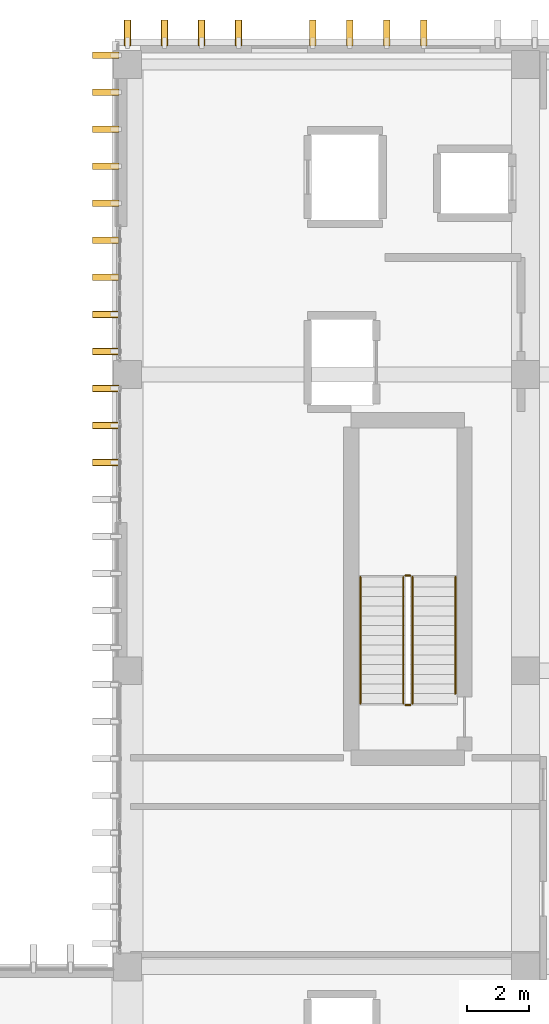
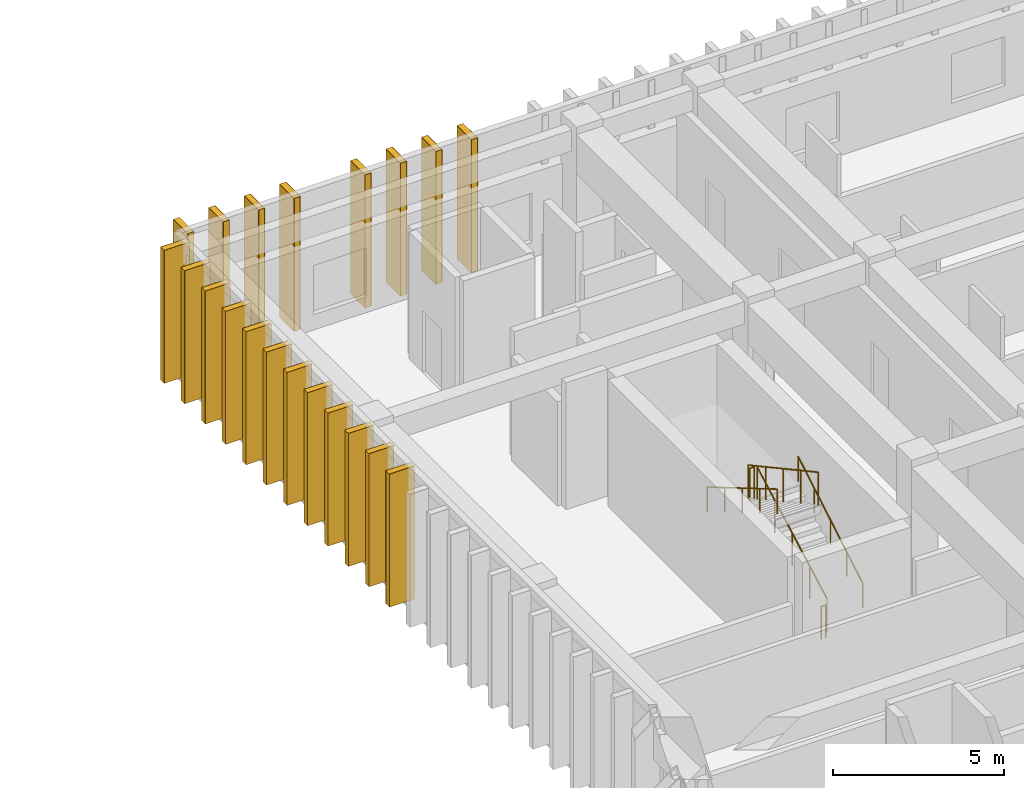
# One storey, part 100 of 101: 20 coverings, 20 shading devices, 6 railings.
"""IFC4 building model written with IfcOpenShell, lengths in metres."""

from ifc_helpers import new_model, si_unit, direction, frame, origin, origin_2d, place, context, subcontext, project, spatial, rectangle, circle, extrude, material, layer, layer_set, type_object, element, save


model = new_model("IFC4")

# Units and contexts
model_context = context("Model", 3, precision=1e-05, world=origin(), true_north=direction((0.0, 1.0)))
body_context = subcontext(model_context, "Body", "Model", "MODEL_VIEW")
ifc_project = project(units=[si_unit("LENGTHUNIT", "METRE"), si_unit("AREAUNIT", "SQUARE_METRE"), si_unit("VOLUMEUNIT", "CUBIC_METRE"), si_unit("PLANEANGLEUNIT", "RADIAN"), si_unit("MASSUNIT", "GRAM", prefix="KILO")], contexts=[model_context])

# Site, building, storey
site_placement = place(None, origin())
site = spatial("IfcSite", under=ifc_project, at=site_placement, CompositionType="ELEMENT")
building_placement = place(site_placement, origin())
building = spatial("IfcBuilding", under=site, at=building_placement, Name="Nakhvara Creek Congress Hotel", CompositionType="ELEMENT")
storey_placement = place(building_placement, frame((0.0, 0.0, 16.199951171875)))
storey = spatial("IfcBuildingStorey", under=building, at=storey_placement, Name="L03", CompositionType="ELEMENT", Elevation=16.199951171875)

# Coverings
ifc_material_1 = material(Name="Honed pale Omani limestone architectural cladding", Category="masonry")
ifc_layer = layer(ifc_material_1, 0.219970703125)
ifc_layer_set = layer_set([ifc_layer], Name="Honed pale Omani limestone architectural cladding")
covering_type = type_object("IfcCoveringType", Name="COV-FIN-850", PredefinedType="CLADDING", material=ifc_layer_set)
for number, where, z_axis, x_axis, name in (
    (1, (148.7451171875, 112.35009765625, 0.0), (0.0, 0.0, 1.0), (0.0, 1.0, 0.0), "Pale Limestone Fin Cladding CF01-1132"),
    (2, (148.7451171875, 113.550048828125, 0.0), (0.0, 0.0, 1.0), (0.0, 1.0, 0.0), "Pale Limestone Fin Cladding CF01-1134"),
    (3, (148.7451171875, 114.75, 0.0), (0.0, 0.0, 1.0), (0.0, 1.0, 0.0), "Pale Limestone Fin Cladding CF01-1136"),
    (4, (148.7451171875, 115.949951171875, 0.0), (0.0, 0.0, 1.0), (0.0, 1.0, 0.0), "Pale Limestone Fin Cladding CF01-1138"),
    (5, (148.7451171875, 117.14990234375, 0.0), (0.0, 0.0, 1.0), (0.0, 1.0, 0.0), "Pale Limestone Fin Cladding CF01-1140"),
    (6, (148.7451171875, 118.35009765625, 0.0), (0.0, 0.0, 1.0), (0.0, 1.0, 0.0), "Pale Limestone Fin Cladding CF01-1142"),
    (7, (148.7451171875, 119.550048828125, 0.0), (0.0, 0.0, 1.0), (0.0, 1.0, 0.0), "Pale Limestone Fin Cladding CF01-1144"),
    (8, (148.7451171875, 120.75, 0.0), (0.0, 0.0, 1.0), (0.0, 1.0, 0.0), "Pale Limestone Fin Cladding CF01-1146"),
    (9, (148.7451171875, 121.949951171875, 0.0), (0.0, 0.0, 1.0), (0.0, 1.0, 0.0), "Pale Limestone Fin Cladding CF01-1148"),
    (10, (148.7451171875, 123.14990234375, 0.0), (0.0, 0.0, 1.0), (0.0, 1.0, 0.0), "Pale Limestone Fin Cladding CF01-1150"),
    (11, (148.7451171875, 124.35009765625, 0.0), (0.0, 0.0, 1.0), (0.0, 1.0, 0.0), "Pale Limestone Fin Cladding CF01-1152"),
    (12, (148.7451171875, 125.550048828125, 0.0), (0.0, 0.0, 1.0), (0.0, 1.0, 0.0), "Pale Limestone Fin Cladding CF01-1154"),
    (13, (149.449951171875, 126.264892578125, 0.0), (0.0, 0.0, 1.0), (1.0, 0.0, 0.0), "Pale Limestone Fin Cladding CF01-1155"),
    (14, (150.64990234375, 126.264892578125, 0.0), (0.0, 0.0, 1.0), (1.0, 0.0, 0.0), "Pale Limestone Fin Cladding CF01-1157"),
    (15, (151.85009765625, 126.264892578125, 0.0), (0.0, 0.0, 1.0), (1.0, 0.0, 0.0), "Pale Limestone Fin Cladding CF01-1159"),
    (16, (153.050048828125, 126.264892578125, 0.0), (0.0, 0.0, 1.0), (1.0, 0.0, 0.0), "Pale Limestone Fin Cladding CF01-1161"),
    (17, (155.449951171875, 126.264892578125, 0.0), (0.0, 0.0, 1.0), (1.0, 0.0, 0.0), "Pale Limestone Fin Cladding CF01-1164"),
    (18, (156.64990234375, 126.264892578125, 0.0), (0.0, 0.0, 1.0), (1.0, 0.0, 0.0), "Pale Limestone Fin Cladding CF01-1166"),
    (19, (157.85009765625, 126.264892578125, 0.0), (0.0, 0.0, 1.0), (1.0, 0.0, 0.0), "Pale Limestone Fin Cladding CF01-1168"),
    (20, (159.050048828125, 126.264892578125, 0.0), (0.0, 0.0, 1.0), (1.0, 0.0, 0.0), "Pale Limestone Fin Cladding CF01-1170"),
):
    element("IfcCovering", number, at=place(storey_placement, frame(where, z_axis=z_axis, x_axis=x_axis)), inside=storey, type_object=covering_type, Name=name, PredefinedType="CLADDING", context=body_context, shape_type="SweptSolid", body=[
        extrude(rectangle(XDim=0.219970703125, YDim=0.85009765625, at=origin_2d()), origin(), (0.0, 0.0, 1.0), 4.760009765625),
    ])

# Railings
ifc_material_2 = material(Name="Brushed stainless steel 316L", Category="steel")
railing_type_1 = type_object("IfcRailingType", Name="RL-GUARD-1200", PredefinedType="GUARDRAIL", material=ifc_material_2)
railing_1_placement = place(storey_placement, frame((158.68505859375, 104.5400390625, 0.17138671875)))
element("IfcRailing", 21, at=railing_1_placement, inside=storey, type_object=railing_type_1, Name="L03 ST02 stair guard 1", PredefinedType="GUARDRAIL", context=body_context, shape_type="SweptSolid", body=[
    extrude(circle(Radius=0.02392578125, at=origin_2d()), frame((0.0, 0.012939453125, 1.182861328125), z_axis=(0.0, 0.878333477893, 0.478048430196), x_axis=(-1.0, 0.0, 0.0)), (0.0, 0.0, 1.0), 4.6328125),
    extrude(circle(Radius=0.02099609375, at=origin_2d()), origin(), (0.0, 0.0, 1.0), 1.1806640625),
    extrude(circle(Radius=0.02099609375, at=origin_2d()), frame((0.0, 1.023681640625, 0.55712890625)), (0.0, 0.0, 1.0), 1.1806640625),
    extrude(circle(Radius=0.02099609375, at=origin_2d()), frame((0.0, 2.04736328125, 1.1142578125)), (0.0, 0.0, 1.0), 1.1806640625),
    extrude(circle(Radius=0.02099609375, at=origin_2d()), frame((0.0, 3.0712890625, 1.671630859375)), (0.0, 0.0, 1.0), 1.1806640625),
    extrude(circle(Radius=0.02099609375, at=origin_2d()), frame((0.0, 4.094970703125, 2.228759765625)), (0.0, 0.0, 1.0), 1.1806640625),
])
railing_2_placement = place(storey_placement, frame((158.610107421875, 108.68505859375, 2.400146484375)))
element("IfcRailing", 22, at=railing_2_placement, inside=storey, type_object=railing_type_1, Name="L03 ST02 stair guard 2", PredefinedType="GUARDRAIL", context=body_context, shape_type="SweptSolid", body=[
    extrude(circle(Radius=0.02392578125, at=origin_2d()), frame((-0.0146484375, 0.0, 1.17578125), z_axis=(-1.0, 0.0, 0.0), x_axis=(0.0, -1.0, 0.0)), (0.0, 0.0, 1.0), 0.120849609375),
    extrude(circle(Radius=0.02099609375, at=origin_2d()), origin(), (0.0, 0.0, 1.0), 1.1806640625),
    extrude(circle(Radius=0.02099609375, at=origin_2d()), frame((-0.150146484375, 0.0, 0.0)), (0.0, 0.0, 1.0), 1.1806640625),
])
railing_3_placement = place(storey_placement, frame((158.385009765625, 108.635009765625, 2.571533203125)))
element("IfcRailing", 23, at=railing_3_placement, inside=storey, type_object=railing_type_1, Name="L03 ST02 stair guard 3", PredefinedType="GUARDRAIL", context=body_context, shape_type="SweptSolid", body=[
    extrude(circle(Radius=0.02392578125, at=origin_2d()), frame((0.0, -0.012939453125, 1.182861328125), z_axis=(0.0, -0.878355465225, 0.478008029963), x_axis=(1.0, 0.0, 0.0)), (0.0, 0.0, 1.0), 4.6328125),
    extrude(circle(Radius=0.02099609375, at=origin_2d()), origin(), (0.0, 0.0, 1.0), 1.1806640625),
    extrude(circle(Radius=0.02099609375, at=origin_2d()), frame((0.0, -1.023681640625, 0.55712890625)), (0.0, 0.0, 1.0), 1.1806640625),
    extrude(circle(Radius=0.02099609375, at=origin_2d()), frame((0.0, -2.04736328125, 1.1142578125)), (0.0, 0.0, 1.0), 1.1806640625),
    extrude(circle(Radius=0.02099609375, at=origin_2d()), frame((0.0, -3.0712890625, 1.67138671875)), (0.0, 0.0, 1.0), 1.1806640625),
    extrude(circle(Radius=0.02099609375, at=origin_2d()), frame((0.0, -4.094970703125, 2.228515625)), (0.0, 0.0, 1.0), 1.1806640625),
])
railing_4_placement = place(storey_placement, frame((158.610107421875, 104.489990234375, 0.0)))
element("IfcRailing", 24, at=railing_4_placement, inside=storey, type_object=railing_type_1, Name="L03 ST02 stair guard 4", PredefinedType="GUARDRAIL", context=body_context, shape_type="SweptSolid", body=[
    extrude(circle(Radius=0.02392578125, at=origin_2d()), frame((-0.0146484375, 0.0, 1.17578125), z_axis=(-1.0, 0.0, 0.0), x_axis=(0.0, -1.0, 0.0)), (0.0, 0.0, 1.0), 0.120849609375),
    extrude(circle(Radius=0.02099609375, at=origin_2d()), origin(), (0.0, 0.0, 1.0), 1.1806640625),
    extrude(circle(Radius=0.02099609375, at=origin_2d()), frame((-0.150146484375, 0.0, 0.0)), (0.0, 0.0, 1.0), 1.1806640625),
])
railing_type_2 = type_object("IfcRailingType", Name="RL-HAND-900", PredefinedType="HANDRAIL", material=ifc_material_2)
railing_5_placement = place(storey_placement, frame((160.074951171875, 104.85498046875, 0.343017578125)))
element("IfcRailing", 25, at=railing_5_placement, inside=storey, type_object=railing_type_2, Name="L03 ST02 stair handrail 1", PredefinedType="HANDRAIL", context=body_context, shape_type="SweptSolid", body=[
    extrude(circle(Radius=0.02392578125, at=origin_2d()), frame((0.0, 0.0126953125, 0.88330078125), z_axis=(0.0, 0.860342978037, 0.509715567883), x_axis=(-1.0, 0.0, 0.0)), (0.0, 0.0, 1.0), 4.3642578125),
    extrude(circle(Radius=0.02099609375, at=origin_2d()), origin(), (0.0, 0.0, 1.0), 0.880615234375),
    extrude(circle(Radius=0.02099609375, at=origin_2d()), frame((0.0, 0.945068359375, 0.559814453125)), (0.0, 0.0, 1.0), 0.880615234375),
    extrude(circle(Radius=0.02099609375, at=origin_2d()), frame((0.0, 1.89013671875, 1.11962890625)), (0.0, 0.0, 1.0), 0.880615234375),
    extrude(circle(Radius=0.02099609375, at=origin_2d()), frame((0.0, 2.8349609375, 1.6796875)), (0.0, 0.0, 1.0), 0.880615234375),
    extrude(circle(Radius=0.02099609375, at=origin_2d()), frame((0.0, 3.780029296875, 2.239501953125)), (0.0, 0.0, 1.0), 0.880615234375),
])
railing_6_placement = place(storey_placement, frame((156.9951171875, 108.635009765625, 2.571533203125)))
element("IfcRailing", 26, at=railing_6_placement, inside=storey, type_object=railing_type_2, Name="L03 ST02 stair handrail 2", PredefinedType="HANDRAIL", context=body_context, shape_type="SweptSolid", body=[
    extrude(circle(Radius=0.02392578125, at=origin_2d()), frame((0.0, -0.0126953125, 0.88330078125), z_axis=(0.0, -0.861742646415, 0.507345652736), x_axis=(1.0, 0.0, 0.0)), (0.0, 0.0, 1.0), 4.72265625),
    extrude(circle(Radius=0.02099609375, at=origin_2d()), origin(), (0.0, 0.0, 1.0), 0.880615234375),
    extrude(circle(Radius=0.02099609375, at=origin_2d()), frame((0.0, -1.023681640625, 0.602783203125)), (0.0, 0.0, 1.0), 0.880615234375),
    extrude(circle(Radius=0.02099609375, at=origin_2d()), frame((0.0, -2.04736328125, 1.20556640625)), (0.0, 0.0, 1.0), 0.880615234375),
    extrude(circle(Radius=0.02099609375, at=origin_2d()), frame((0.0, -3.0712890625, 1.80810546875)), (0.0, 0.0, 1.0), 0.880615234375),
    extrude(circle(Radius=0.02099609375, at=origin_2d()), frame((0.0, -4.094970703125, 2.410888671875)), (0.0, 0.0, 1.0), 0.880615234375),
])

# Shading devices
ifc_material_3 = material(Name="Honed pale Omani limestone cladding on stainless steel spine", Category="masonry")
shading_device_type = type_object("IfcShadingDeviceType", Name="SHD-FIN-850X4700", PredefinedType="USERDEFINED", material=ifc_material_3)
for number, where, z_axis, x_axis, name in (
    (27, (148.7451171875, 112.35009765625, 0.0), (0.0, 0.0, 1.0), (0.0, 1.0, 0.0), "Limestone Solar Fin FN02-0997"),
    (28, (148.7451171875, 113.550048828125, 0.0), (0.0, 0.0, 1.0), (0.0, 1.0, 0.0), "Limestone Solar Fin FN02-0999"),
    (29, (148.7451171875, 114.75, 0.0), (0.0, 0.0, 1.0), (0.0, 1.0, 0.0), "Limestone Solar Fin FN02-1001"),
    (30, (148.7451171875, 115.949951171875, 0.0), (0.0, 0.0, 1.0), (0.0, 1.0, 0.0), "Limestone Solar Fin FN02-1003"),
    (31, (148.7451171875, 117.14990234375, 0.0), (0.0, 0.0, 1.0), (0.0, 1.0, 0.0), "Limestone Solar Fin FN02-1005"),
    (32, (148.7451171875, 118.35009765625, 0.0), (0.0, 0.0, 1.0), (0.0, 1.0, 0.0), "Limestone Solar Fin FN02-1007"),
    (33, (148.7451171875, 119.550048828125, 0.0), (0.0, 0.0, 1.0), (0.0, 1.0, 0.0), "Limestone Solar Fin FN02-1009"),
    (34, (148.7451171875, 120.75, 0.0), (0.0, 0.0, 1.0), (0.0, 1.0, 0.0), "Limestone Solar Fin FN02-1011"),
    (35, (148.7451171875, 121.949951171875, 0.0), (0.0, 0.0, 1.0), (0.0, 1.0, 0.0), "Limestone Solar Fin FN02-1013"),
    (36, (148.7451171875, 123.14990234375, 0.0), (0.0, 0.0, 1.0), (0.0, 1.0, 0.0), "Limestone Solar Fin FN02-1015"),
    (37, (148.7451171875, 124.35009765625, 0.0), (0.0, 0.0, 1.0), (0.0, 1.0, 0.0), "Limestone Solar Fin FN02-1017"),
    (38, (148.7451171875, 125.550048828125, 0.0), (0.0, 0.0, 1.0), (0.0, 1.0, 0.0), "Limestone Solar Fin FN02-1019"),
    (39, (149.449951171875, 126.264892578125, 0.0), (0.0, 0.0, 1.0), (1.0, 0.0, 0.0), "Limestone Solar Fin FN02-1020"),
    (40, (150.64990234375, 126.264892578125, 0.0), (0.0, 0.0, 1.0), (1.0, 0.0, 0.0), "Limestone Solar Fin FN02-1022"),
    (41, (151.85009765625, 126.264892578125, 0.0), (0.0, 0.0, 1.0), (1.0, 0.0, 0.0), "Limestone Solar Fin FN02-1024"),
    (42, (153.050048828125, 126.264892578125, 0.0), (0.0, 0.0, 1.0), (1.0, 0.0, 0.0), "Limestone Solar Fin FN02-1026"),
    (43, (155.449951171875, 126.264892578125, 0.0), (0.0, 0.0, 1.0), (1.0, 0.0, 0.0), "Limestone Solar Fin FN02-1029"),
    (44, (156.64990234375, 126.264892578125, 0.0), (0.0, 0.0, 1.0), (1.0, 0.0, 0.0), "Limestone Solar Fin FN02-1031"),
    (45, (157.85009765625, 126.264892578125, 0.0), (0.0, 0.0, 1.0), (1.0, 0.0, 0.0), "Limestone Solar Fin FN02-1033"),
    (46, (159.050048828125, 126.264892578125, 0.0), (0.0, 0.0, 1.0), (1.0, 0.0, 0.0), "Limestone Solar Fin FN02-1035"),
):
    element("IfcShadingDevice", number, at=place(storey_placement, frame(where, z_axis=z_axis, x_axis=x_axis)), inside=storey, type_object=shading_device_type, Name=name, ObjectType="FIN", PredefinedType="USERDEFINED", context=body_context, shape_type="SweptSolid", body=[
        extrude(rectangle(XDim=0.199951171875, YDim=0.85009765625, at=origin_2d()), origin(), (0.0, 0.0, 1.0), 4.760009765625),
    ])

save(model, "model.ifc")
